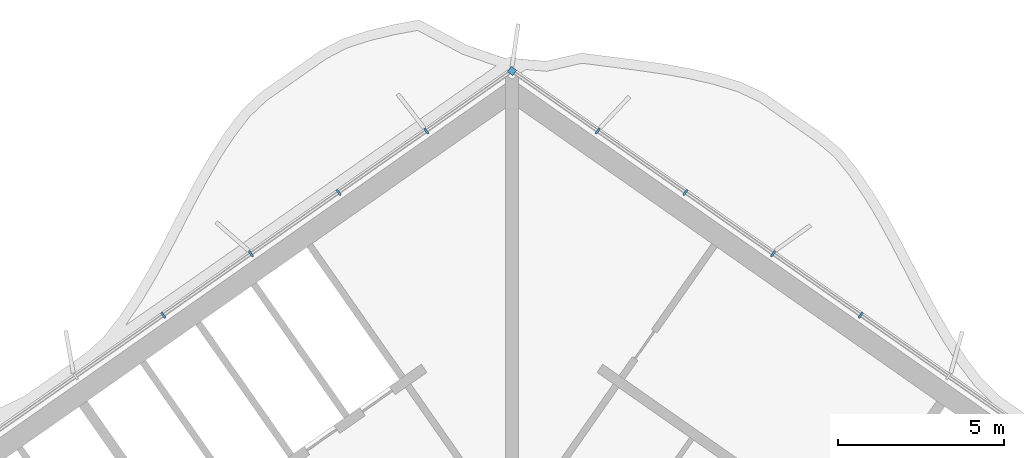
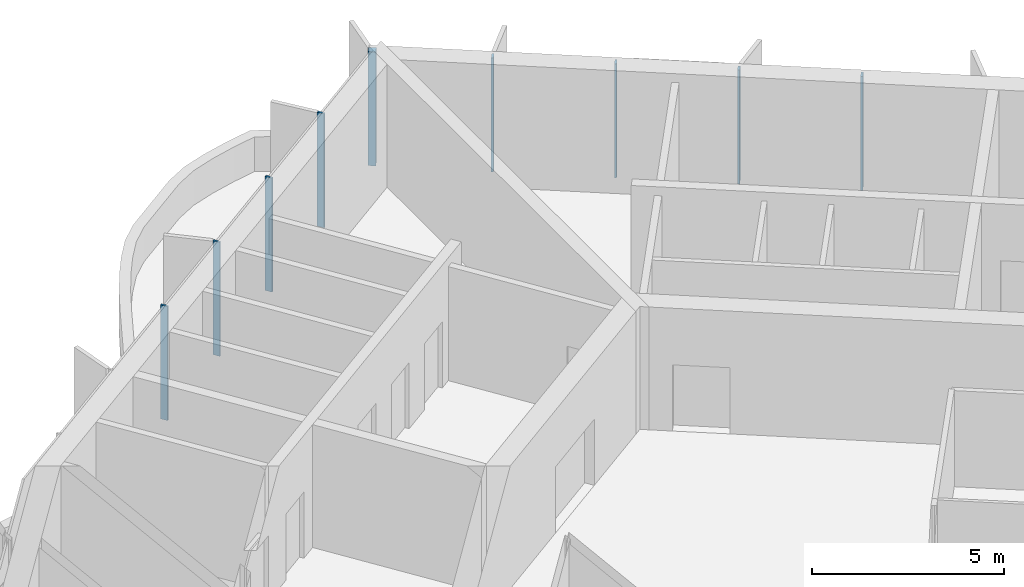
# One storey, part 6 of 18: 9 members, 1 element without a shape of its own.
"""IFC4 building model written with IfcOpenShell, lengths in metres."""

from ifc_helpers import new_model, si_unit, direction, frame, origin, origin_2d, place, context, subcontext, project, spatial, rectangle, extrude, material, material_profile, profile_set, type_object, element, aggregate, save


model = new_model("IFC4")

# Units and contexts
model_context = context("Model", 3, precision=1e-05, world=origin(), true_north=direction((0.0, 1.0)))
body_context = subcontext(model_context, "Body", "Model", "MODEL_VIEW")
ifc_project = project(units=[si_unit("LENGTHUNIT", "METRE"), si_unit("AREAUNIT", "SQUARE_METRE"), si_unit("VOLUMEUNIT", "CUBIC_METRE"), si_unit("PLANEANGLEUNIT", "RADIAN"), si_unit("MASSUNIT", "GRAM", prefix="KILO")], contexts=[model_context])

# Site, building, storey
site_placement = place(None, origin())
site = spatial("IfcSite", under=ifc_project, at=site_placement, CompositionType="ELEMENT")
building_placement = place(site_placement, origin())
building = spatial("IfcBuilding", under=site, at=building_placement, Name="Tel Ilan Convention Tower", CompositionType="ELEMENT")
storey_placement = place(building_placement, frame((0.0, 0.0, 303.39990234375)))
storey = spatial("IfcBuildingStorey", under=building, at=storey_placement, Name="L72", CompositionType="ELEMENT", Elevation=303.39990234375)

# Curtain wall, members
ifc_material_1 = material(Name="Aluminium, bronze anodised", Category="aluminium")
curtain_wall_type = type_object("IfcCurtainWallType", Name="CW2 STICK CURTAIN WALL, SPANDREL PANELS", PredefinedType="NOTDEFINED", material=ifc_material_1)
curtain_wall_placement = place(storey_placement, origin())
curtain_wall = element("IfcCurtainWall", 1, at=curtain_wall_placement, inside=storey, type_object=curtain_wall_type, Name="Curtain wall CW2-54.01", PredefinedType="NOTDEFINED")
ifc_material_2 = material(Name="Aluminium, bronze anodised", Category="aluminium")
ifc_material_profile_1 = material_profile(ifc_material_2, rectangle(XDim=0.199951171875, YDim=0.199951171875, at=origin_2d()), Name="CW CORNER MULLION 200x200")
ifc_profile_set_1 = profile_set([ifc_material_profile_1], Name="Aluminium, bronze anodised")
member_type_1 = type_object("IfcMemberType", Name="CW CORNER MULLION 200x200", PredefinedType="MULLION", material=ifc_profile_set_1)
member_1_placement = place(storey_placement, frame((0.0, 12.696044921875, 0.0), z_axis=(0.0, 0.0, 1.0), x_axis=(-0.819152044289, 0.573576436351, 0.0)))
member_1 = element("IfcMember", 2, at=member_1_placement, type_object=member_type_1, Name="Corner mullion", PredefinedType="MULLION", context=body_context, shape_type="SweptSolid", body=[
    extrude(rectangle(XDim=0.199951171875, YDim=0.199951171875, at=origin_2d()), origin(), (0.0, 0.0, 1.0), 3.6201171875),
])
ifc_material_3 = material(Name="Aluminium, bronze anodised", Category="aluminium")
ifc_material_profile_2 = material_profile(ifc_material_3, rectangle(XDim=0.06005859375, YDim=0.199951171875, at=origin_2d()), Name="CW MULLION 60x200")
ifc_profile_set_2 = profile_set([ifc_material_profile_2], Name="Aluminium, bronze anodised")
member_type_2 = type_object("IfcMemberType", Name="CW MULLION 60x200", PredefinedType="MULLION", material=ifc_profile_set_2)
member_2_placement = place(storey_placement, frame((10.47314453125, 5.36279296875, 0.0), z_axis=(0.0, 0.0, 1.0), x_axis=(-0.819152044289, 0.573576436351, 0.0)))
member_2 = element("IfcMember", 3, at=member_2_placement, type_object=member_type_2, Name="Mullion", PredefinedType="MULLION", context=body_context, shape_type="SweptSolid", body=[
    extrude(rectangle(XDim=0.06005859375, YDim=0.199951171875, at=origin_2d()), origin(), (0.0, 0.0, 1.0), 3.6201171875),
])
member_3_placement = place(storey_placement, frame((7.840576171875, 7.2060546875, 0.0), z_axis=(0.0, 0.0, 1.0), x_axis=(-0.819152044289, 0.573576436351, 0.0)))
member_3 = element("IfcMember", 4, at=member_3_placement, type_object=member_type_2, Name="Mullion", PredefinedType="MULLION", context=body_context, shape_type="SweptSolid", body=[
    extrude(rectangle(XDim=0.06005859375, YDim=0.199951171875, at=origin_2d()), origin(), (0.0, 0.0, 1.0), 3.6201171875),
])
member_4_placement = place(storey_placement, frame((5.207763671875, 9.049560546875, 0.0), z_axis=(0.0, 0.0, 1.0), x_axis=(-0.819152044289, 0.573576436351, 0.0)))
member_4 = element("IfcMember", 5, at=member_4_placement, type_object=member_type_2, Name="Mullion", PredefinedType="MULLION", context=body_context, shape_type="SweptSolid", body=[
    extrude(rectangle(XDim=0.06005859375, YDim=0.199951171875, at=origin_2d()), origin(), (0.0, 0.0, 1.0), 3.6201171875),
])
member_5_placement = place(storey_placement, frame((2.5751953125, 10.892822265625, 0.0), z_axis=(0.0, 0.0, 1.0), x_axis=(-0.819152044289, 0.573576436351, 0.0)))
member_5 = element("IfcMember", 6, at=member_5_placement, type_object=member_type_2, Name="Mullion", PredefinedType="MULLION", context=body_context, shape_type="SweptSolid", body=[
    extrude(rectangle(XDim=0.06005859375, YDim=0.199951171875, at=origin_2d()), origin(), (0.0, 0.0, 1.0), 3.6201171875),
])
member_6_placement = place(storey_placement, frame((-2.5751953125, 10.892822265625, 0.0), z_axis=(0.0, 0.0, 1.0), x_axis=(-0.819152044289, -0.573576436351, 0.0)))
member_6 = element("IfcMember", 7, at=member_6_placement, type_object=member_type_2, Name="Mullion", PredefinedType="MULLION", context=body_context, shape_type="SweptSolid", body=[
    extrude(rectangle(XDim=0.06005859375, YDim=0.199951171875, at=origin_2d()), origin(), (0.0, 0.0, 1.0), 3.6201171875),
])
member_7_placement = place(storey_placement, frame((-5.207763671875, 9.049560546875, 0.0), z_axis=(0.0, 0.0, 1.0), x_axis=(-0.819152044289, -0.573576436351, 0.0)))
member_7 = element("IfcMember", 8, at=member_7_placement, type_object=member_type_2, Name="Mullion", PredefinedType="MULLION", context=body_context, shape_type="SweptSolid", body=[
    extrude(rectangle(XDim=0.06005859375, YDim=0.199951171875, at=origin_2d()), origin(), (0.0, 0.0, 1.0), 3.6201171875),
])
member_8_placement = place(storey_placement, frame((-7.840576171875, 7.2060546875, 0.0), z_axis=(0.0, 0.0, 1.0), x_axis=(-0.819152044289, -0.573576436351, 0.0)))
member_8 = element("IfcMember", 9, at=member_8_placement, type_object=member_type_2, Name="Mullion", PredefinedType="MULLION", context=body_context, shape_type="SweptSolid", body=[
    extrude(rectangle(XDim=0.06005859375, YDim=0.199951171875, at=origin_2d()), origin(), (0.0, 0.0, 1.0), 3.6201171875),
])
member_9_placement = place(storey_placement, frame((-10.47314453125, 5.36279296875, 0.0), z_axis=(0.0, 0.0, 1.0), x_axis=(-0.819152044289, -0.573576436351, 0.0)))
member_9 = element("IfcMember", 10, at=member_9_placement, type_object=member_type_2, Name="Mullion", PredefinedType="MULLION", context=body_context, shape_type="SweptSolid", body=[
    extrude(rectangle(XDim=0.06005859375, YDim=0.199951171875, at=origin_2d()), origin(), (0.0, 0.0, 1.0), 3.6201171875),
])
aggregate(curtain_wall, [member_2, member_3, member_4, member_5, member_1, member_6, member_7, member_8, member_9])

save(model, "model.ifc")
